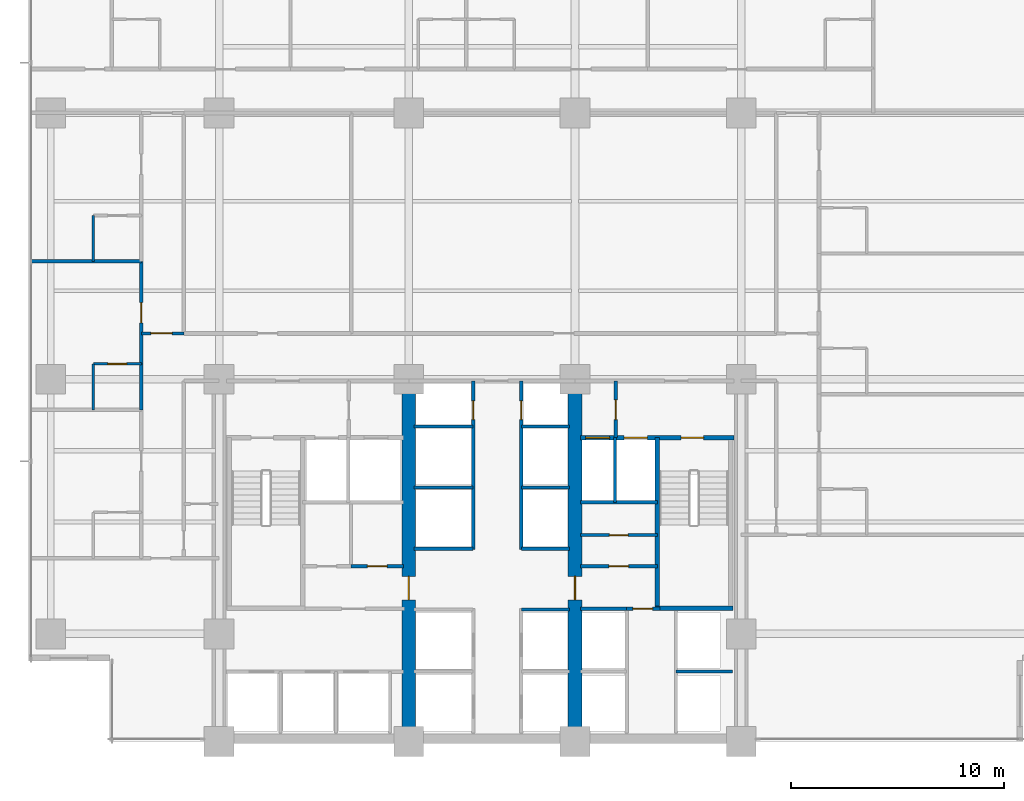
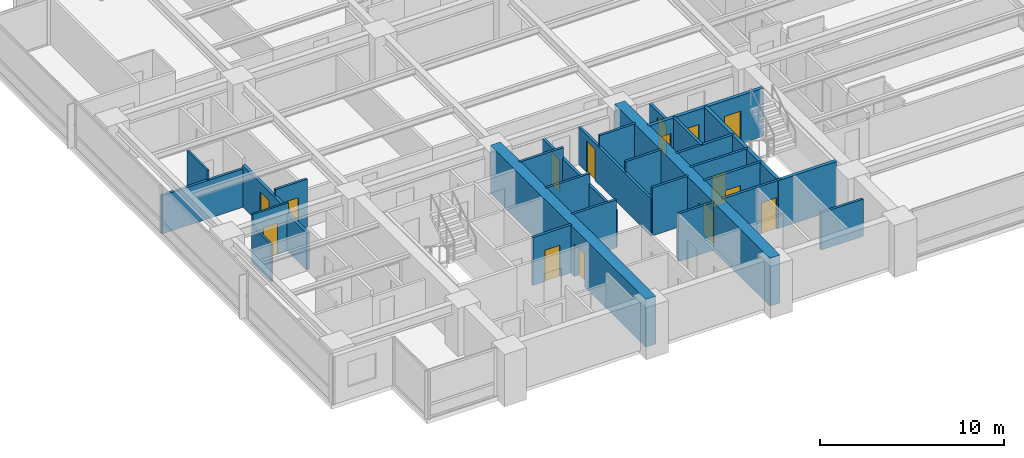
# One storey, part 8 of 16: 30 walls, 15 doors, 15 openings.
"""IFC4 building model written with IfcOpenShell, lengths in metres."""

from ifc_helpers import new_model, si_unit, direction, frame, frame_2d, origin, place, context, subcontext, project, spatial, rectangle, extrude, material, layer, layer_set, type_object, element, fill, save


model = new_model("IFC4")

# Units and contexts
model_context = context("Model", 3, precision=1e-05, world=origin(), true_north=direction((0.0, 1.0)))
body_context = subcontext(model_context, "Body", "Model", "MODEL_VIEW")
ifc_project = project(units=[si_unit("LENGTHUNIT", "METRE"), si_unit("AREAUNIT", "SQUARE_METRE"), si_unit("VOLUMEUNIT", "CUBIC_METRE"), si_unit("PLANEANGLEUNIT", "RADIAN"), si_unit("MASSUNIT", "GRAM", prefix="KILO")], contexts=[model_context])

# Site, building, storey
site_placement = place(None, origin())
site = spatial("IfcSite", under=ifc_project, at=site_placement, CompositionType="ELEMENT")
building_placement = place(site_placement, origin())
building = spatial("IfcBuilding", under=site, at=building_placement, Name="Qalmaran Belvedere Hotel", CompositionType="ELEMENT")
storey_placement = place(building_placement, frame((0.0, 0.0, 71.89990234375)))
storey = spatial("IfcBuildingStorey", under=building, at=storey_placement, Name="L18", CompositionType="ELEMENT", Elevation=71.89990234375)

# Wall, opening, door
ifc_material_1 = material(Name="Concrete C60/75", Category="concrete")
ifc_layer_1 = layer(ifc_material_1, 0.64990234375, Name="Concrete C60/75")
ifc_layer_set_1 = layer_set([ifc_layer_1], Name="Concrete C60/75")
wall_type_1 = type_object("IfcWallType", Name="WL-CORE-650-C60", PredefinedType="SHEAR", material=ifc_layer_set_1)
wall_1_placement = place(storey_placement, frame((29.199951171875, 3.5, 0.0), z_axis=(0.0, 0.0, 1.0), x_axis=(0.0, 1.0, 0.0)))
wall_1 = element("IfcWall", 1, at=wall_1_placement, inside=storey, type_object=wall_type_1, Name="L18 Core West Spine Shear Wall", PredefinedType="SHEAR", context=body_context, shape_type="SweptSolid", body=[
    extrude(rectangle(XDim=16.89990234375, YDim=0.64990234375, at=frame_2d((8.449951171875, 0.0))), origin(), (0.0, 0.0, 1.0), 3.18017578125),
])
opening_1_placement = place(wall_1_placement, frame((7.75, 0.0, 0.0), z_axis=(0.0, 0.0, 1.0), x_axis=(-1.0, 0.0, 0.0)))
opening_1 = element("IfcOpeningElement", 2, at=opening_1_placement, cuts=wall_1, Name="Opening FD90", PredefinedType="OPENING", context=body_context, shape_type="SweptSolid", body=[
    extrude(rectangle(XDim=1.10009765625, YDim=2.14990234375, at=frame_2d((0.550048828125, 1.074951171875))), frame((0.0, 0.3349609375, 0.0), z_axis=(0.0, -1.0, 0.0), x_axis=(1.0, 0.0, 0.0)), (0.0, 0.0, 1.0), 0.669921875),
])
ifc_material_2 = material(Name="Steel S355JR", Category="steel")
door_type_1 = type_object("IfcDoorType", Name="DR-FD90-1100X2150", OperationType="NOTDEFINED", PredefinedType="DOOR", material=ifc_material_2)
door_1_placement = place(opening_1_placement, origin())
door_1 = element("IfcDoor", 3, at=door_1_placement, inside=storey, type_object=door_type_1, Name="L18 Core West Cross-Lobby Door", OperationType="SINGLE_SWING_LEFT", OverallHeight=2.14990234375, OverallWidth=1.10009765625, PredefinedType="DOOR", context=body_context, shape_type="SweptSolid", body=[
    extrude(rectangle(XDim=1.10009765625, YDim=2.14990234375, at=frame_2d((0.550048828125, 1.074951171875))), frame((0.0, 0.02490234375, 0.0), z_axis=(0.0, -1.0, 0.0), x_axis=(1.0, 0.0, 0.0)), (0.0, 0.0, 1.0), 0.050048828125),
])
fill(opening_1, door_1)

wall_2_placement = place(storey_placement, frame((37.0, 3.5, 0.0), z_axis=(0.0, 0.0, 1.0), x_axis=(0.0, 1.0, 0.0)))
wall_2 = element("IfcWall", 4, at=wall_2_placement, inside=storey, type_object=wall_type_1, Name="L18 Core East Spine Shear Wall", PredefinedType="SHEAR", context=body_context, shape_type="SweptSolid", body=[
    extrude(rectangle(XDim=16.89990234375, YDim=0.64990234375, at=frame_2d((8.449951171875, 0.0))), origin(), (0.0, 0.0, 1.0), 3.18017578125),
])
opening_2_placement = place(wall_2_placement, frame((6.64990234375, 0.0, 0.0)))
opening_2 = element("IfcOpeningElement", 5, at=opening_2_placement, cuts=wall_2, Name="Opening FD90", PredefinedType="OPENING", context=body_context, shape_type="SweptSolid", body=[
    extrude(rectangle(XDim=1.10009765625, YDim=2.14990234375, at=frame_2d((0.550048828125, 1.074951171875))), frame((0.0, 0.3349609375, 0.0), z_axis=(0.0, -1.0, 0.0), x_axis=(1.0, 0.0, 0.0)), (0.0, 0.0, 1.0), 0.669921875),
])
door_2_placement = place(opening_2_placement, origin())
door_2 = element("IfcDoor", 6, at=door_2_placement, inside=storey, type_object=door_type_1, Name="L18 Core East Cross-Lobby Door", OperationType="SINGLE_SWING_RIGHT", OverallHeight=2.14990234375, OverallWidth=1.10009765625, PredefinedType="DOOR", context=body_context, shape_type="SweptSolid", body=[
    extrude(rectangle(XDim=1.10009765625, YDim=2.14990234375, at=frame_2d((0.550048828125, 1.074951171875))), frame((0.0, 0.02490234375, 0.0), z_axis=(0.0, -1.0, 0.0), x_axis=(1.0, 0.0, 0.0)), (0.0, 0.0, 1.0), 0.050048828125),
])
fill(opening_2, door_2)

ifc_material_3 = material(Name="Moisture-Resistant Gypsum")
ifc_layer_2 = layer(ifc_material_3, 0.1201171875, Name="Moisture-Resistant Gypsum")
ifc_layer_set_2 = layer_set([ifc_layer_2], Name="Moisture-Resistant Gypsum")
wall_type_2 = type_object("IfcWallType", Name="WL-INT-120-BATH", PredefinedType="PARTITIONING", material=ifc_layer_set_2)
wall_3_placement = place(storey_placement, frame((14.39990234375, 21.216796875, 0.0), z_axis=(0.0, 0.0, 1.0), x_axis=(1.0, 0.0, 0.0)))
wall_3 = element("IfcWall", 7, at=wall_3_placement, inside=storey, type_object=wall_type_2, Name="L18 Partition WL-L18-WBN01", PredefinedType="PARTITIONING", context=body_context, shape_type="SweptSolid", body=[
    extrude(rectangle(XDim=2.25, YDim=0.1201171875, at=frame_2d((1.125, 0.0))), origin(), (0.0, 0.0, 1.0), 3.18017578125),
])
opening_3_placement = place(wall_3_placement, frame((1.56494140625, 0.0, 0.0), z_axis=(0.0, 0.0, 1.0), x_axis=(-1.0, 0.0, 0.0)))
opening_3 = element("IfcOpeningElement", 8, at=opening_3_placement, cuts=wall_3, Name="Opening D-BATH", PredefinedType="OPENING", context=body_context, shape_type="SweptSolid", body=[
    extrude(rectangle(XDim=0.8798828125, YDim=2.080078125, at=frame_2d((0.43994140625, 1.0400390625))), frame((0.0, 0.070068359375, 0.0), z_axis=(0.0, -1.0, 0.0), x_axis=(1.0, 0.0, 0.0)), (0.0, 0.0, 1.0), 0.14013671875),
])
ifc_material_4 = material(Name="Engineered Oak Veneer")
door_type_2 = type_object("IfcDoorType", Name="DR-INT-BATH-880X2080", OperationType="NOTDEFINED", PredefinedType="DOOR", material=ifc_material_4)
door_3_placement = place(opening_3_placement, origin())
door_3 = element("IfcDoor", 9, at=door_3_placement, inside=storey, type_object=door_type_2, Name="L18 W Ensuite Door 02", OperationType="SINGLE_SWING_RIGHT", OverallHeight=2.080078125, OverallWidth=0.8798828125, PredefinedType="DOOR", context=body_context, shape_type="SweptSolid", body=[
    extrude(rectangle(XDim=0.8798828125, YDim=2.080078125, at=frame_2d((0.43994140625, 1.0400390625))), frame((0.0, 0.02490234375, 0.0), z_axis=(0.0, -1.0, 0.0), x_axis=(1.0, 0.0, 0.0)), (0.0, 0.0, 1.0), 0.050048828125),
])
fill(opening_3, door_3)

# Walls
wall_4_placement = place(storey_placement, frame((14.39990234375, 19.066650390625, 0.0), z_axis=(0.0, 0.0, 1.0), x_axis=(0.0, 1.0, 0.0)))
element("IfcWall", 10, at=wall_4_placement, inside=storey, type_object=wall_type_2, Name="L18 Partition WL-L18-WBS01", PredefinedType="PARTITIONING", context=body_context, shape_type="SweptSolid", body=[
    extrude(rectangle(XDim=2.150146484375, YDim=0.1201171875, at=frame_2d((1.0751953125, 0.0))), origin(), (0.0, 0.0, 1.0), 2.47021484375),
])
wall_5_placement = place(storey_placement, frame((14.39990234375, 26.033203125, 0.0), z_axis=(0.0, 0.0, 1.0), x_axis=(0.0, 1.0, 0.0)))
element("IfcWall", 11, at=wall_5_placement, inside=storey, type_object=wall_type_2, Name="L18 Partition WL-L18-WBS02", PredefinedType="PARTITIONING", context=body_context, shape_type="SweptSolid", body=[
    extrude(rectangle(XDim=2.150146484375, YDim=0.1201171875, at=frame_2d((1.0751953125, 0.0))), origin(), (0.0, 0.0, 1.0), 3.18017578125),
])
ifc_material_5 = material(Name="Gypsum Stud Partition")
ifc_layer_3 = layer(ifc_material_5, 0.14990234375, Name="Gypsum Stud Partition")
ifc_layer_set_3 = layer_set([ifc_layer_3], Name="Gypsum Stud Partition")
wall_type_3 = type_object("IfcWallType", Name="WL-INT-150-EI120", PredefinedType="PARTITIONING", material=ifc_layer_set_3)
wall_6_placement = place(storey_placement, frame((38.8798828125, 14.719970703125, 0.0), z_axis=(0.0, 0.0, 1.0), x_axis=(0.0, 1.0, 0.0)))
element("IfcWall", 12, at=wall_6_placement, inside=storey, type_object=wall_type_3, Name="L18 Partition WL-FF2M-L18", PredefinedType="PARTITIONING", context=body_context, shape_type="SweptSolid", body=[
    extrude(rectangle(XDim=3.0400390625, YDim=0.14990234375, at=frame_2d((1.52001953125, 0.0))), origin(), (0.0, 0.0, 1.0), 3.18017578125),
])
wall_7_placement = place(storey_placement, frame((41.739990234375, 6.780029296875, 0.0), z_axis=(0.0, 0.0, 1.0), x_axis=(1.0, 0.0, 0.0)))
element("IfcWall", 13, at=wall_7_placement, inside=storey, type_object=wall_type_3, Name="L18 Partition WL-PHME-L18", PredefinedType="PARTITIONING", context=body_context, shape_type="SweptSolid", body=[
    extrude(rectangle(XDim=2.659912109375, YDim=0.14990234375, at=frame_2d((1.330078125, 0.0))), origin(), (0.0, 0.0, 1.0), 2.47021484375),
])
wall_8_placement = place(storey_placement, frame((34.47998046875, 9.699951171875, 0.0), z_axis=(0.0, 0.0, 1.0), x_axis=(1.0, 0.0, 0.0)))
element("IfcWall", 14, at=wall_8_placement, inside=storey, type_object=wall_type_3, Name="L18 Partition WL-PLE-L18-97", PredefinedType="PARTITIONING", context=body_context, shape_type="SweptSolid", body=[
    extrude(rectangle(XDim=2.27001953125, YDim=0.14990234375, at=frame_2d((1.135009765625, 0.0))), origin(), (0.0, 0.0, 1.0), 3.18017578125),
])
wall_9_placement = place(storey_placement, frame((29.449951171875, 12.550048828125, 0.0), z_axis=(0.0, 0.0, 1.0), x_axis=(1.0, 0.0, 0.0)))
element("IfcWall", 15, at=wall_9_placement, inside=storey, type_object=wall_type_3, Name="L18 Partition WL-PMW-L18-125", PredefinedType="PARTITIONING", context=body_context, shape_type="SweptSolid", body=[
    extrude(rectangle(XDim=2.77001953125, YDim=0.14990234375, at=frame_2d((1.385009765625, 0.0))), origin(), (0.0, 0.0, 1.0), 3.18017578125),
])
wall_10_placement = place(storey_placement, frame((34.47998046875, 12.550048828125, 0.0), z_axis=(0.0, 0.0, 1.0), x_axis=(1.0, 0.0, 0.0)))
element("IfcWall", 16, at=wall_10_placement, inside=storey, type_object=wall_type_3, Name="L18 Partition WL-PME-L18-125", PredefinedType="PARTITIONING", context=body_context, shape_type="SweptSolid", body=[
    extrude(rectangle(XDim=2.27001953125, YDim=0.14990234375, at=frame_2d((1.135009765625, 0.0))), origin(), (0.0, 0.0, 1.0), 3.18017578125),
])
wall_11_placement = place(storey_placement, frame((29.449951171875, 15.419921875, 0.0), z_axis=(0.0, 0.0, 1.0), x_axis=(1.0, 0.0, 0.0)))
element("IfcWall", 17, at=wall_11_placement, inside=storey, type_object=wall_type_3, Name="L18 Partition WL-PMW-L18-154", PredefinedType="PARTITIONING", context=body_context, shape_type="SweptSolid", body=[
    extrude(rectangle(XDim=2.77001953125, YDim=0.14990234375, at=frame_2d((1.385009765625, 0.0))), origin(), (0.0, 0.0, 1.0), 3.18017578125),
])
wall_12_placement = place(storey_placement, frame((34.47998046875, 15.419921875, 0.0), z_axis=(0.0, 0.0, 1.0), x_axis=(1.0, 0.0, 0.0)))
element("IfcWall", 18, at=wall_12_placement, inside=storey, type_object=wall_type_3, Name="L18 Partition WL-PME-L18-154", PredefinedType="PARTITIONING", context=body_context, shape_type="SweptSolid", body=[
    extrude(rectangle(XDim=2.27001953125, YDim=0.14990234375, at=frame_2d((1.135009765625, 0.0))), origin(), (0.0, 0.0, 1.0), 3.18017578125),
])
wall_13_placement = place(storey_placement, frame((29.449951171875, 18.280029296875, 0.0), z_axis=(0.0, 0.0, 1.0), x_axis=(1.0, 0.0, 0.0)))
element("IfcWall", 19, at=wall_13_placement, inside=storey, type_object=wall_type_3, Name="L18 Partition WL-PMW-L18-182", PredefinedType="PARTITIONING", context=body_context, shape_type="SweptSolid", body=[
    extrude(rectangle(XDim=2.77001953125, YDim=0.14990234375, at=frame_2d((1.385009765625, 0.0))), origin(), (0.0, 0.0, 1.0), 3.18017578125),
])
wall_14_placement = place(storey_placement, frame((34.47998046875, 18.280029296875, 0.0), z_axis=(0.0, 0.0, 1.0), x_axis=(1.0, 0.0, 0.0)))
element("IfcWall", 20, at=wall_14_placement, inside=storey, type_object=wall_type_3, Name="L18 Partition WL-PME-L18-182", PredefinedType="PARTITIONING", context=body_context, shape_type="SweptSolid", body=[
    extrude(rectangle(XDim=2.27001953125, YDim=0.14990234375, at=frame_2d((1.135009765625, 0.0))), origin(), (0.0, 0.0, 1.0), 3.18017578125),
])

# Wall, opening, door
ifc_layer_4 = layer(ifc_material_5, 0.14990234375, Name="Gypsum Stud Partition")
ifc_layer_set_4 = layer_set([ifc_layer_4], Name="Gypsum Stud Partition")
wall_type_4 = type_object("IfcWallType", Name="WL-INT-150-EI60", PredefinedType="PARTITIONING", material=ifc_layer_set_4)
wall_15_placement = place(storey_placement, frame((37.25, 13.18505859375, 0.0), z_axis=(0.0, 0.0, 1.0), x_axis=(1.0, 0.0, 0.0)))
wall_15 = element("IfcWall", 21, at=wall_15_placement, inside=storey, type_object=wall_type_4, Name="L18 Partition WL-L18-KEHM", PredefinedType="PARTITIONING", context=body_context, shape_type="SweptSolid", body=[
    extrude(rectangle(XDim=3.610107421875, YDim=0.14990234375, at=frame_2d((1.80517578125, 0.0))), origin(), (0.0, 0.0, 1.0), 3.18017578125),
])
opening_4_placement = place(wall_15_placement, frame((1.364990234375, 0.0, 0.0)))
opening_4 = element("IfcOpeningElement", 22, at=opening_4_placement, cuts=wall_15, Name="Opening FD60B", PredefinedType="OPENING", context=body_context, shape_type="SweptSolid", body=[
    extrude(rectangle(XDim=0.8798828125, YDim=2.080078125, at=frame_2d((0.43994140625, 1.0400390625))), frame((0.0, 0.0849609375, 0.0), z_axis=(0.0, -1.0, 0.0), x_axis=(1.0, 0.0, 0.0)), (0.0, 0.0, 1.0), 0.169921875),
])
door_type_3 = type_object("IfcDoorType", Name="DR-FD60B-880X2080", OperationType="NOTDEFINED", PredefinedType="DOOR", material=ifc_material_2)
door_4_placement = place(opening_4_placement, origin())
door_4 = element("IfcDoor", 23, at=door_4_placement, inside=storey, type_object=door_type_3, Name="L18 Hotel Linen Closet Door", OperationType="SINGLE_SWING_LEFT", OverallHeight=2.080078125, OverallWidth=0.8798828125, PredefinedType="DOOR", context=body_context, shape_type="SweptSolid", body=[
    extrude(rectangle(XDim=0.8798828125, YDim=2.080078125, at=frame_2d((0.43994140625, 1.0400390625))), frame((0.0, 0.02490234375, 0.0), z_axis=(0.0, -1.0, 0.0), x_axis=(1.0, 0.0, 0.0)), (0.0, 0.0, 1.0), 0.050048828125),
])
fill(opening_4, door_4)

wall_16_placement = place(storey_placement, frame((16.64990234375, 22.64990234375, 0.0), z_axis=(0.0, 0.0, 1.0), x_axis=(1.0, 0.0, 0.0)))
wall_16 = element("IfcWall", 24, at=wall_16_placement, inside=storey, type_object=wall_type_4, Name="L18 Partition WL-L18-XCW1", PredefinedType="PARTITIONING", context=body_context, shape_type="SweptSolid", body=[
    extrude(rectangle(XDim=2.0, YDim=0.14990234375, at=frame_2d((1.0, 0.0))), origin(), (0.0, 0.0, 1.0), 3.18017578125),
])
opening_5_placement = place(wall_16_placement, frame((0.449951171875, 0.0, 0.0)))
opening_5 = element("IfcOpeningElement", 25, at=opening_5_placement, cuts=wall_16, Name="Opening FD90B", PredefinedType="OPENING", context=body_context, shape_type="SweptSolid", body=[
    extrude(rectangle(XDim=1.0, YDim=2.14990234375, at=frame_2d((0.5, 1.074951171875))), frame((0.0, 0.0849609375, 0.0), z_axis=(0.0, -1.0, 0.0), x_axis=(1.0, 0.0, 0.0)), (0.0, 0.0, 1.0), 0.169921875),
])
door_type_4 = type_object("IfcDoorType", Name="DR-FD90B-1000X2150", OperationType="NOTDEFINED", PredefinedType="DOOR", material=ifc_material_2)
door_5_placement = place(opening_5_placement, origin())
door_5 = element("IfcDoor", 26, at=door_5_placement, inside=storey, type_object=door_type_4, Name="L18 West Corridor Smoke Door S", OperationType="SINGLE_SWING_RIGHT", OverallHeight=2.14990234375, OverallWidth=1.0, PredefinedType="DOOR", context=body_context, shape_type="SweptSolid", body=[
    extrude(rectangle(XDim=1.0, YDim=2.14990234375, at=frame_2d((0.5, 1.074951171875))), frame((0.0, 0.02490234375, 0.0), z_axis=(0.0, -1.0, 0.0), x_axis=(1.0, 0.0, 0.0)), (0.0, 0.0, 1.0), 0.050048828125),
])
fill(opening_5, door_5)

ifc_layer_5 = layer(ifc_material_5, 0.159912109375, Name="Gypsum Stud Partition")
ifc_layer_set_5 = layer_set([ifc_layer_5], Name="Gypsum Stud Partition")
wall_type_5 = type_object("IfcWallType", Name="WL-INT-160-EI120", PredefinedType="PARTITIONING", material=ifc_layer_set_5)
wall_17_placement = place(storey_placement, frame((38.919921875, 17.760009765625, 0.0), z_axis=(0.0, 0.0, 1.0), x_axis=(0.0, 1.0, 0.0)))
wall_17 = element("IfcWall", 27, at=wall_17_placement, inside=storey, type_object=wall_type_5, Name="L18 Partition WL-FFSV2-L18", PredefinedType="PARTITIONING", context=body_context, shape_type="SweptSolid", body=[
    extrude(rectangle(XDim=2.659912109375, YDim=0.159912109375, at=frame_2d((1.330078125, 0.0))), origin(), (0.0, 0.0, 1.0), 2.47021484375),
])
opening_6_placement = place(wall_17_placement, frame((1.77001953125, 0.0, 0.0), z_axis=(0.0, 0.0, 1.0), x_axis=(-1.0, 0.0, 0.0)))
opening_6 = element("IfcOpeningElement", 28, at=opening_6_placement, cuts=wall_17, Name="Opening FD60S1", PredefinedType="OPENING", context=body_context, shape_type="SweptSolid", body=[
    extrude(rectangle(XDim=0.919921875, YDim=2.080078125, at=frame_2d((0.4599609375, 1.0400390625))), frame((0.0, 0.08984375, 0.0), z_axis=(0.0, -1.0, 0.0), x_axis=(1.0, 0.0, 0.0)), (0.0, 0.0, 1.0), 0.179931640625),
])
door_type_5 = type_object("IfcDoorType", Name="DR-FD60S-920X2080", OperationType="NOTDEFINED", PredefinedType="DOOR", material=ifc_material_4)
door_6_placement = place(opening_6_placement, origin())
door_6 = element("IfcDoor", 29, at=door_6_placement, inside=storey, type_object=door_type_5, Name="L18 Service Lobby East Door", OperationType="SINGLE_SWING_RIGHT", OverallHeight=2.080078125, OverallWidth=0.919921875, PredefinedType="DOOR", context=body_context, shape_type="SweptSolid", body=[
    extrude(rectangle(XDim=0.919921875, YDim=2.080078125, at=frame_2d((0.4599609375, 1.0400390625))), frame((0.0, 0.02490234375, 0.0), z_axis=(0.0, -1.0, 0.0), x_axis=(1.0, 0.0, 0.0)), (0.0, 0.0, 1.0), 0.050048828125),
])
fill(opening_6, door_6)

# Walls
wall_18_placement = place(storey_placement, frame((37.25, 14.719970703125, 0.0), z_axis=(0.0, 0.0, 1.0), x_axis=(1.0, 0.0, 0.0)))
element("IfcWall", 30, at=wall_18_placement, inside=storey, type_object=wall_type_5, Name="L18 Partition WL-FF2S-L18", PredefinedType="PARTITIONING", context=body_context, shape_type="SweptSolid", body=[
    extrude(rectangle(XDim=3.610107421875, YDim=0.159912109375, at=frame_2d((1.80517578125, 0.0))), origin(), (0.0, 0.0, 1.0), 3.18017578125),
])
wall_19_placement = place(storey_placement, frame((37.25, 9.739990234375, 0.0), z_axis=(0.0, 0.0, 1.0), x_axis=(1.0, 0.0, 0.0)))
element("IfcWall", 31, at=wall_19_placement, inside=storey, type_object=wall_type_5, Name="L18 Partition WL-PHNW-L18", PredefinedType="PARTITIONING", context=body_context, shape_type="SweptSolid", body=[
    extrude(rectangle(XDim=2.169921875, YDim=0.159912109375, at=frame_2d((1.0849609375, 0.0))), origin(), (0.0, 0.0, 1.0), 3.18017578125),
])

# Wall, opening, door
wall_20_placement = place(storey_placement, frame((39.419921875, 9.739990234375, 0.0), z_axis=(0.0, 0.0, 1.0), x_axis=(1.0, 0.0, 0.0)))
wall_20 = element("IfcWall", 32, at=wall_20_placement, inside=storey, type_object=wall_type_5, Name="L18 Partition WL-PHNL-L18", PredefinedType="PARTITIONING", context=body_context, shape_type="SweptSolid", body=[
    extrude(rectangle(XDim=1.56005859375, YDim=0.159912109375, at=frame_2d((0.780029296875, 0.0))), origin(), (0.0, 0.0, 1.0), 3.18017578125),
])
opening_7_placement = place(wall_20_placement, frame((0.300048828125, 0.0, 0.0)))
opening_7 = element("IfcOpeningElement", 33, at=opening_7_placement, cuts=wall_20, Name="Opening FD60S1", PredefinedType="OPENING", context=body_context, shape_type="SweptSolid", body=[
    extrude(rectangle(XDim=0.919921875, YDim=2.080078125, at=frame_2d((0.4599609375, 1.0400390625))), frame((0.0, 0.08984375, 0.0), z_axis=(0.0, -1.0, 0.0), x_axis=(1.0, 0.0, 0.0)), (0.0, 0.0, 1.0), 0.179931640625),
])
door_7_placement = place(opening_7_placement, origin())
door_7 = element("IfcDoor", 34, at=door_7_placement, inside=storey, type_object=door_type_5, Name="L18 High-Rise Lift Lobby Passage Door", OperationType="SINGLE_SWING_LEFT", OverallHeight=2.080078125, OverallWidth=0.919921875, PredefinedType="DOOR", context=body_context, shape_type="SweptSolid", body=[
    extrude(rectangle(XDim=0.919921875, YDim=2.080078125, at=frame_2d((0.4599609375, 1.0400390625))), frame((0.0, 0.02490234375, 0.0), z_axis=(0.0, -1.0, 0.0), x_axis=(1.0, 0.0, 0.0)), (0.0, 0.0, 1.0), 0.050048828125),
])
fill(opening_7, door_7)

wall_21_placement = place(storey_placement, frame((32.219970703125, 12.5, 0.0), z_axis=(0.0, 0.0, 1.0), x_axis=(0.0, 1.0, 0.0)))
wall_21 = element("IfcWall", 35, at=wall_21_placement, inside=storey, type_object=wall_type_5, Name="L18 Partition WL-CLBWN-L18", PredefinedType="PARTITIONING", context=body_context, shape_type="SweptSolid", body=[
    extrude(rectangle(XDim=7.919921875, YDim=0.159912109375, at=frame_2d((3.9599609375, 0.0))), origin(), (0.0, 0.0, 1.0), 2.47021484375),
])
opening_8_placement = place(wall_21_placement, frame((6.10009765625, 0.0, 0.0)))
opening_8 = element("IfcOpeningElement", 36, at=opening_8_placement, cuts=wall_21, Name="Opening FD60B", PredefinedType="OPENING", context=body_context, shape_type="SweptSolid", body=[
    extrude(rectangle(XDim=0.8798828125, YDim=2.080078125, at=frame_2d((0.43994140625, 1.0400390625))), frame((0.0, 0.08984375, 0.0), z_axis=(0.0, -1.0, 0.0), x_axis=(1.0, 0.0, 0.0)), (0.0, 0.0, 1.0), 0.179931640625),
])
door_8_placement = place(opening_8_placement, origin())
door_8 = element("IfcDoor", 37, at=door_8_placement, inside=storey, type_object=door_type_3, Name="L18 West Riser Access Door", OperationType="SINGLE_SWING_RIGHT", OverallHeight=2.080078125, OverallWidth=0.8798828125, PredefinedType="DOOR", context=body_context, shape_type="SweptSolid", body=[
    extrude(rectangle(XDim=0.8798828125, YDim=2.080078125, at=frame_2d((0.43994140625, 1.0400390625))), frame((0.0, 0.02490234375, 0.0), z_axis=(0.0, -1.0, 0.0), x_axis=(1.0, 0.0, 0.0)), (0.0, 0.0, 1.0), 0.050048828125),
])
fill(opening_8, door_8)

wall_22_placement = place(storey_placement, frame((34.47998046875, 12.5, 0.0), z_axis=(0.0, 0.0, 1.0), x_axis=(0.0, 1.0, 0.0)))
wall_22 = element("IfcWall", 38, at=wall_22_placement, inside=storey, type_object=wall_type_5, Name="L18 Partition WL-CLBEN-L18", PredefinedType="PARTITIONING", context=body_context, shape_type="SweptSolid", body=[
    extrude(rectangle(XDim=7.919921875, YDim=0.159912109375, at=frame_2d((3.9599609375, 0.0))), origin(), (0.0, 0.0, 1.0), 2.47021484375),
])
opening_9_placement = place(wall_22_placement, frame((6.97998046875, 0.0, 0.0), z_axis=(0.0, 0.0, 1.0), x_axis=(-1.0, 0.0, 0.0)))
opening_9 = element("IfcOpeningElement", 39, at=opening_9_placement, cuts=wall_22, Name="Opening FD60B", PredefinedType="OPENING", context=body_context, shape_type="SweptSolid", body=[
    extrude(rectangle(XDim=0.8798828125, YDim=2.080078125, at=frame_2d((0.43994140625, 1.0400390625))), frame((0.0, 0.08984375, 0.0), z_axis=(0.0, -1.0, 0.0), x_axis=(1.0, 0.0, 0.0)), (0.0, 0.0, 1.0), 0.179931640625),
])
door_9_placement = place(opening_9_placement, origin())
door_9 = element("IfcDoor", 40, at=door_9_placement, inside=storey, type_object=door_type_3, Name="L18 East Riser Access Door", OperationType="SINGLE_SWING_LEFT", OverallHeight=2.080078125, OverallWidth=0.8798828125, PredefinedType="DOOR", context=body_context, shape_type="SweptSolid", body=[
    extrude(rectangle(XDim=0.8798828125, YDim=2.080078125, at=frame_2d((0.43994140625, 1.0400390625))), frame((0.0, 0.02490234375, 0.0), z_axis=(0.0, -1.0, 0.0), x_axis=(1.0, 0.0, 0.0)), (0.0, 0.0, 1.0), 0.050048828125),
])
fill(opening_9, door_9)

ifc_layer_6 = layer(ifc_material_5, 0.159912109375, Name="Gypsum Stud Partition")
ifc_layer_set_6 = layer_set([ifc_layer_6], Name="Gypsum Stud Partition")
wall_type_6 = type_object("IfcWallType", Name="WL-INT-160-EI60", PredefinedType="PARTITIONING", material=ifc_layer_set_6)
wall_23_placement = place(storey_placement, frame((26.490478515625, 11.719970703125, 0.0), z_axis=(0.0, 0.0, 1.0), x_axis=(1.0, 0.0, 0.0)))
wall_23 = element("IfcWall", 41, at=wall_23_placement, inside=storey, type_object=wall_type_6, Name="L18 Partition WL-L18-KWE2", PredefinedType="PARTITIONING", context=body_context, shape_type="SweptSolid", body=[
    extrude(rectangle(XDim=2.45947265625, YDim=0.159912109375, at=frame_2d((1.229736328125, 0.0))), origin(), (0.0, 0.0, 1.0), 3.18017578125),
])
opening_10_placement = place(wall_23_placement, frame((0.769775390625, 0.0, 0.0)))
opening_10 = element("IfcOpeningElement", 42, at=opening_10_placement, cuts=wall_23, Name="Opening FD60S1", PredefinedType="OPENING", context=body_context, shape_type="SweptSolid", body=[
    extrude(rectangle(XDim=0.919921875, YDim=2.080078125, at=frame_2d((0.4599609375, 1.0400390625))), frame((0.0, 0.08984375, 0.0), z_axis=(0.0, -1.0, 0.0), x_axis=(1.0, 0.0, 0.0)), (0.0, 0.0, 1.0), 0.179931640625),
])
door_10_placement = place(opening_10_placement, origin())
door_10 = element("IfcDoor", 43, at=door_10_placement, inside=storey, type_object=door_type_5, Name="L18 Cleaner Supply Store Door", OperationType="SINGLE_SWING_LEFT", OverallHeight=2.080078125, OverallWidth=0.919921875, PredefinedType="DOOR", context=body_context, shape_type="SweptSolid", body=[
    extrude(rectangle(XDim=0.919921875, YDim=2.080078125, at=frame_2d((0.4599609375, 1.0400390625))), frame((0.0, 0.02490234375, 0.0), z_axis=(0.0, -1.0, 0.0), x_axis=(1.0, 0.0, 0.0)), (0.0, 0.0, 1.0), 0.050048828125),
])
fill(opening_10, door_10)

wall_24_placement = place(storey_placement, frame((37.25, 11.719970703125, 0.0), z_axis=(0.0, 0.0, 1.0), x_axis=(1.0, 0.0, 0.0)))
wall_24 = element("IfcWall", 44, at=wall_24_placement, inside=storey, type_object=wall_type_6, Name="L18 Partition WL-L18-KEE1", PredefinedType="PARTITIONING", context=body_context, shape_type="SweptSolid", body=[
    extrude(rectangle(XDim=3.610107421875, YDim=0.159912109375, at=frame_2d((1.80517578125, 0.0))), origin(), (0.0, 0.0, 1.0), 3.18017578125),
])
opening_11_placement = place(wall_24_placement, frame((1.344970703125, 0.0, 0.0)))
opening_11 = element("IfcOpeningElement", 45, at=opening_11_placement, cuts=wall_24, Name="Opening FD60S1", PredefinedType="OPENING", context=body_context, shape_type="SweptSolid", body=[
    extrude(rectangle(XDim=0.919921875, YDim=2.080078125, at=frame_2d((0.4599609375, 1.0400390625))), frame((0.0, 0.08984375, 0.0), z_axis=(0.0, -1.0, 0.0), x_axis=(1.0, 0.0, 0.0)), (0.0, 0.0, 1.0), 0.179931640625),
])
door_11_placement = place(opening_11_placement, origin())
door_11 = element("IfcDoor", 46, at=door_11_placement, inside=storey, type_object=door_type_5, Name="L18 Low Voltage Switch Room Door", OperationType="SINGLE_SWING_RIGHT", OverallHeight=2.080078125, OverallWidth=0.919921875, PredefinedType="DOOR", context=body_context, shape_type="SweptSolid", body=[
    extrude(rectangle(XDim=0.919921875, YDim=2.080078125, at=frame_2d((0.4599609375, 1.0400390625))), frame((0.0, 0.02490234375, 0.0), z_axis=(0.0, -1.0, 0.0), x_axis=(1.0, 0.0, 0.0)), (0.0, 0.0, 1.0), 0.050048828125),
])
fill(opening_11, door_11)

# Walls
wall_25_placement = place(storey_placement, frame((11.469970703125, 26.033203125, 0.0), z_axis=(0.0, 0.0, 1.0), x_axis=(1.0, 0.0, 0.0)))
element("IfcWall", 47, at=wall_25_placement, inside=storey, type_object=wall_type_6, Name="L18 Partition WL-L18-WU01", PredefinedType="PARTITIONING", context=body_context, shape_type="SweptSolid", body=[
    extrude(rectangle(XDim=5.179931640625, YDim=0.159912109375, at=frame_2d((2.58984375, 0.0))), origin(), (0.0, 0.0, 1.0), 2.543212890625),
])
ifc_layer_7 = layer(ifc_material_5, 0.179931640625, Name="Gypsum Stud Partition")
ifc_layer_set_7 = layer_set([ifc_layer_7], Name="Gypsum Stud Partition")
wall_type_7 = type_object("IfcWallType", Name="WL-INT-180-EI60", PredefinedType="PARTITIONING", material=ifc_layer_set_7)
wall_26_placement = place(storey_placement, frame((16.64990234375, 19.066650390625, 0.0), z_axis=(0.0, 0.0, 1.0), x_axis=(0.0, 1.0, 0.0)))
element("IfcWall", 48, at=wall_26_placement, inside=storey, type_object=wall_type_7, Name="L18 Partition WL-L18-WBC01", PredefinedType="PARTITIONING", context=body_context, shape_type="SweptSolid", body=[
    extrude(rectangle(XDim=2.150146484375, YDim=0.179931640625, at=frame_2d((1.0751953125, 0.0))), origin(), (0.0, 0.0, 1.0), 2.47021484375),
])

# Wall, opening, door
wall_27_placement = place(storey_placement, frame((16.64990234375, 21.216796875, 0.0), z_axis=(0.0, 0.0, 1.0), x_axis=(0.0, 1.0, 0.0)))
wall_27 = element("IfcWall", 49, at=wall_27_placement, inside=storey, type_object=wall_type_7, Name="L18 Partition WL-L18-WEC01", PredefinedType="PARTITIONING", context=body_context, shape_type="SweptSolid", body=[
    extrude(rectangle(XDim=4.81640625, YDim=0.179931640625, at=frame_2d((2.408203125, 0.0))), origin(), (0.0, 0.0, 1.0), 2.748046875),
])
opening_12_placement = place(wall_27_placement, frame((1.933349609375, 0.0, 0.0)))
opening_12 = element("IfcOpeningElement", 50, at=opening_12_placement, cuts=wall_27, Name="Opening FD60", PredefinedType="OPENING", context=body_context, shape_type="SweptSolid", body=[
    extrude(rectangle(XDim=0.949951171875, YDim=2.14990234375, at=frame_2d((0.47509765625, 1.074951171875))), frame((0.0, 0.10009765625, 0.0), z_axis=(0.0, -1.0, 0.0), x_axis=(1.0, 0.0, 0.0)), (0.0, 0.0, 1.0), 0.199951171875),
])
door_type_6 = type_object("IfcDoorType", Name="DR-FD60-950X2150", OperationType="NOTDEFINED", PredefinedType="DOOR", material=ifc_material_4)
door_12_placement = place(opening_12_placement, origin())
door_12 = element("IfcDoor", 51, at=door_12_placement, inside=storey, type_object=door_type_6, Name="L18 W Wing Door 02", OperationType="SINGLE_SWING_LEFT", OverallHeight=2.14990234375, OverallWidth=0.949951171875, PredefinedType="DOOR", context=body_context, shape_type="SweptSolid", body=[
    extrude(rectangle(XDim=0.949951171875, YDim=2.14990234375, at=frame_2d((0.47509765625, 1.074951171875))), frame((0.0, 0.02490234375, 0.0), z_axis=(0.0, -1.0, 0.0), x_axis=(1.0, 0.0, 0.0)), (0.0, 0.0, 1.0), 0.050048828125),
])
fill(opening_12, door_12)

# Walls
ifc_material_6 = material(Name="Concrete C50/60", Category="concrete")
ifc_layer_8 = layer(ifc_material_6, 0.2099609375, Name="Concrete C50/60")
ifc_layer_set_8 = layer_set([ifc_layer_8], Name="Concrete C50/60")
wall_type_8 = type_object("IfcWallType", Name="WL-STAIR-210-C50", PredefinedType="SHEAR", material=ifc_layer_set_8)
wall_28_placement = place(storey_placement, frame((40.85498046875, 9.7451171875, 0.0), z_axis=(0.0, 0.0, 1.0), x_axis=(0.0, 1.0, 0.0)))
element("IfcWall", 52, at=wall_28_placement, inside=storey, type_object=wall_type_8, Name="L18 Stair ST-2 West Bearing Wall", PredefinedType="SHEAR", context=body_context, shape_type="SweptSolid", body=[
    extrude(rectangle(XDim=8.009765625, YDim=0.2099609375, at=frame_2d((4.0048828125, 0.0))), origin(), (0.0, 0.0, 1.0), 3.18017578125),
])
wall_29_placement = place(storey_placement, frame((40.75, 9.7451171875, 0.0), z_axis=(0.0, 0.0, 1.0), x_axis=(1.0, 0.0, 0.0)))
element("IfcWall", 53, at=wall_29_placement, inside=storey, type_object=wall_type_8, Name="L18 Stair ST-2 South Bearing Wall", PredefinedType="SHEAR", context=body_context, shape_type="SweptSolid", body=[
    extrude(rectangle(XDim=3.659912109375, YDim=0.2099609375, at=frame_2d((1.830078125, 0.0))), origin(), (0.0, 0.0, 1.0), 3.18017578125),
])

# Wall, openings, doors
wall_30_placement = place(storey_placement, frame((37.25, 17.7548828125, 0.0), z_axis=(0.0, 0.0, 1.0), x_axis=(1.0, 0.0, 0.0)))
wall_30 = element("IfcWall", 54, at=wall_30_placement, inside=storey, type_object=wall_type_8, Name="L18 East Lobby and Stair ST-2 North Bearing Wall", PredefinedType="SHEAR", context=body_context, shape_type="SweptSolid", body=[
    extrude(rectangle(XDim=7.199951171875, YDim=0.2099609375, at=frame_2d((3.60009765625, 0.0))), origin(), (0.0, 0.0, 1.0), 3.18017578125),
])
opening_13_placement = place(wall_30_placement, frame((0.25, 0.0, 0.0)))
opening_13 = element("IfcOpeningElement", 55, at=opening_13_placement, cuts=wall_30, Name="Opening LD-SV", PredefinedType="OPENING", context=body_context, shape_type="SweptSolid", body=[
    extrude(rectangle(XDim=1.1201171875, YDim=2.199951171875, at=frame_2d((0.56005859375, 1.10009765625))), frame((0.0, 0.114990234375, 0.0), z_axis=(0.0, -1.0, 0.0), x_axis=(1.0, 0.0, 0.0)), (0.0, 0.0, 1.0), 0.22998046875),
])
opening_14_placement = place(wall_30_placement, frame((2.050048828125, 0.0, 0.0)))
opening_14 = element("IfcOpeningElement", 56, at=opening_14_placement, cuts=wall_30, Name="Opening LD-FF", PredefinedType="OPENING", context=body_context, shape_type="SweptSolid", body=[
    extrude(rectangle(XDim=1.10009765625, YDim=2.179931640625, at=frame_2d((0.550048828125, 1.08984375))), frame((0.0, 0.114990234375, 0.0), z_axis=(0.0, -1.0, 0.0), x_axis=(1.0, 0.0, 0.0)), (0.0, 0.0, 1.0), 0.22998046875),
])
opening_15_placement = place(wall_30_placement, frame((5.780029296875, 0.0, 0.0), z_axis=(0.0, 0.0, 1.0), x_axis=(-1.0, 0.0, 0.0)))
opening_15 = element("IfcOpeningElement", 57, at=opening_15_placement, cuts=wall_30, Name="Opening FD90S2", PredefinedType="OPENING", context=body_context, shape_type="SweptSolid", body=[
    extrude(rectangle(XDim=1.050048828125, YDim=2.14990234375, at=frame_2d((0.52490234375, 1.074951171875))), frame((0.0, 0.114990234375, 0.0), z_axis=(0.0, -1.0, 0.0), x_axis=(1.0, 0.0, 0.0)), (0.0, 0.0, 1.0), 0.22998046875),
])
door_type_7 = type_object("IfcDoorType", Name="DR-FD90S-1050X2150", OperationType="NOTDEFINED", PredefinedType="DOOR", material=ifc_material_2)
door_13_placement = place(opening_15_placement, origin())
door_13 = element("IfcDoor", 58, at=door_13_placement, inside=storey, type_object=door_type_7, Name="L18 Stair ST-2 Door", OperationType="SINGLE_SWING_RIGHT", OverallHeight=2.14990234375, OverallWidth=1.050048828125, PredefinedType="DOOR", context=body_context, shape_type="SweptSolid", body=[
    extrude(rectangle(XDim=1.050048828125, YDim=2.14990234375, at=frame_2d((0.52490234375, 1.074951171875))), frame((0.0, 0.02490234375, 0.0), z_axis=(0.0, -1.0, 0.0), x_axis=(1.0, 0.0, 0.0)), (0.0, 0.0, 1.0), 0.050048828125),
])
fill(opening_15, door_13)
ifc_material_7 = material(Name="Stainless Steel 1.4401", Category="steel")
door_type_8 = type_object("IfcDoorType", Name="DR-LIFT-FF-1100X2180", OperationType="DOUBLE_DOOR_SLIDING", PredefinedType="DOOR", material=ifc_material_7)
door_14_placement = place(opening_14_placement, origin())
door_14 = element("IfcDoor", 59, at=door_14_placement, inside=storey, type_object=door_type_8, Name="L18 FF2 Lift Landing Door", OperationType="DOUBLE_DOOR_SLIDING", OverallHeight=2.179931640625, OverallWidth=1.10009765625, PredefinedType="DOOR", context=body_context, shape_type="SweptSolid", body=[
    extrude(rectangle(XDim=1.10009765625, YDim=2.179931640625, at=frame_2d((0.550048828125, 1.08984375))), frame((0.0, 0.02490234375, 0.0), z_axis=(0.0, -1.0, 0.0), x_axis=(1.0, 0.0, 0.0)), (0.0, 0.0, 1.0), 0.050048828125),
])
fill(opening_14, door_14)
door_type_9 = type_object("IfcDoorType", Name="DR-LIFT-SV-1120X2200", OperationType="DOUBLE_DOOR_SLIDING", PredefinedType="DOOR", material=ifc_material_7)
door_15_placement = place(opening_13_placement, origin())
door_15 = element("IfcDoor", 60, at=door_15_placement, inside=storey, type_object=door_type_9, Name="L18 SV2 Lift Landing Door", OperationType="DOUBLE_DOOR_SLIDING", OverallHeight=2.199951171875, OverallWidth=1.1201171875, PredefinedType="DOOR", context=body_context, shape_type="SweptSolid", body=[
    extrude(rectangle(XDim=1.1201171875, YDim=2.199951171875, at=frame_2d((0.56005859375, 1.10009765625))), frame((0.0, 0.02490234375, 0.0), z_axis=(0.0, -1.0, 0.0), x_axis=(1.0, 0.0, 0.0)), (0.0, 0.0, 1.0), 0.050048828125),
])
fill(opening_13, door_15)

save(model, "model.ifc")
